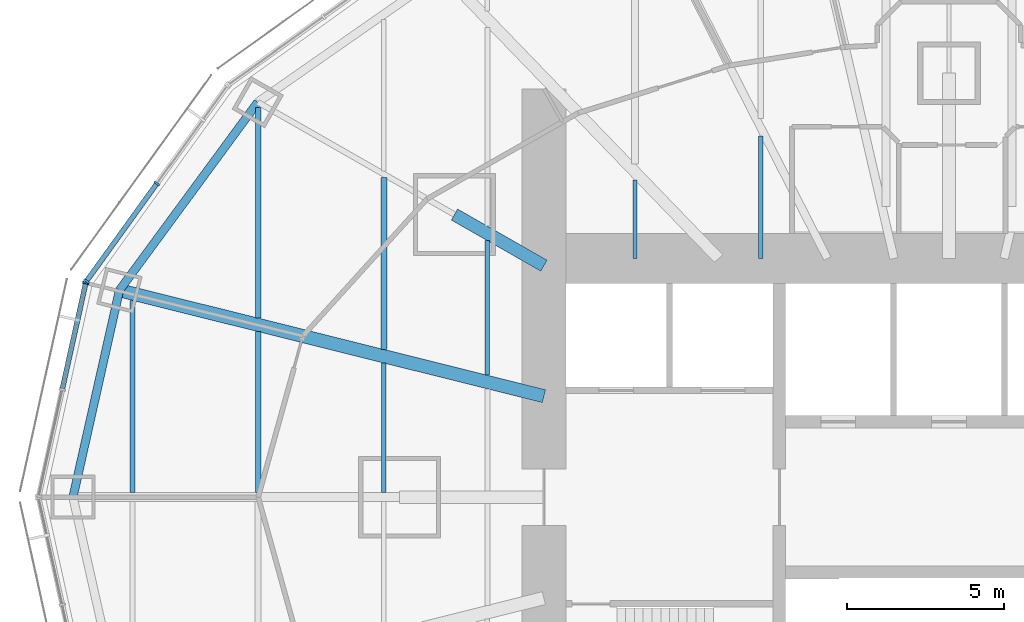
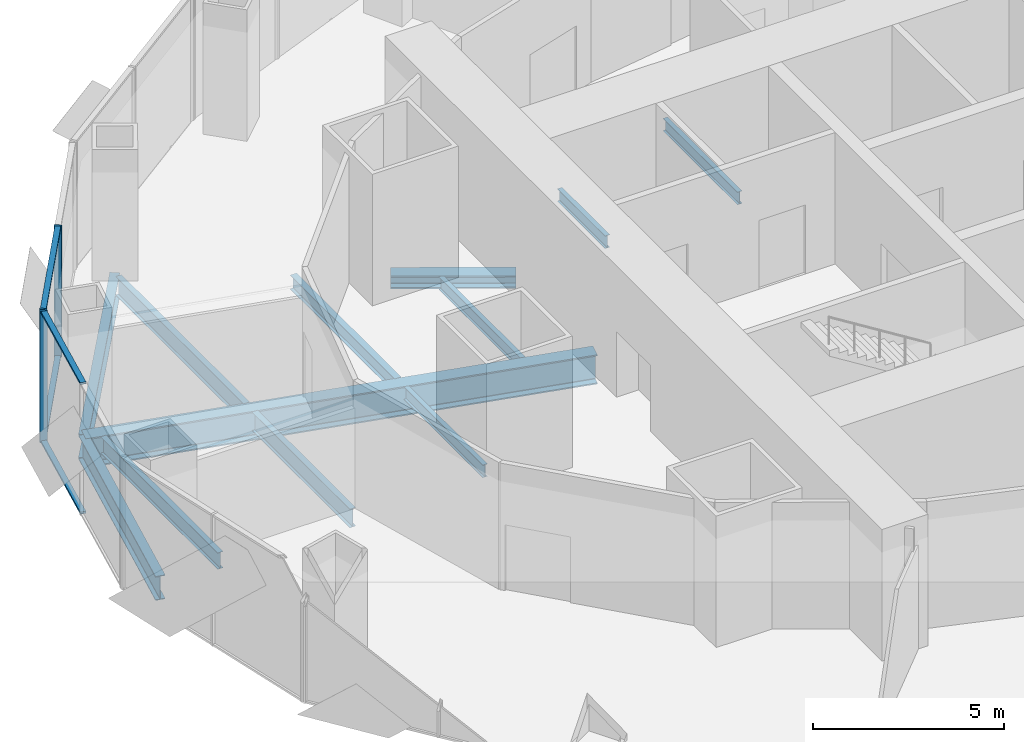
# One storey, part 4 of 18: 12 beams, 7 members, 2 elements without a shape of their own.
"""IFC4 building model written with IfcOpenShell, lengths in metres."""

from ifc_helpers import new_model, si_unit, direction, frame, origin, origin_2d, place, context, subcontext, project, spatial, rectangle, i_section, extrude, material, material_profile, profile_set, type_object, element, aggregate, save


model = new_model("IFC4")

# Units and contexts
model_context = context("Model", 3, precision=1e-05, world=origin(), true_north=direction((0.0, 1.0)))
body_context = subcontext(model_context, "Body", "Model", "MODEL_VIEW")
ifc_project = project(units=[si_unit("LENGTHUNIT", "METRE"), si_unit("AREAUNIT", "SQUARE_METRE"), si_unit("VOLUMEUNIT", "CUBIC_METRE"), si_unit("PLANEANGLEUNIT", "RADIAN"), si_unit("MASSUNIT", "GRAM", prefix="KILO")], contexts=[model_context])

# Site, building, storey
site_placement = place(None, origin())
site = spatial("IfcSite", under=ifc_project, at=site_placement, CompositionType="ELEMENT")
building_placement = place(site_placement, origin())
building = spatial("IfcBuilding", under=site, at=building_placement, Name="Lantaw Convention Tower", CompositionType="ELEMENT")
storey_placement = place(building_placement, frame((0.0, 0.0, 172.0)))
storey = spatial("IfcBuildingStorey", under=building, at=storey_placement, Name="L40", CompositionType="ELEMENT", Elevation=172.0)

# Beams
ifc_material_1 = material(Name="Steel ASTM A992", Category="steel")
ifc_material_profile_1 = material_profile(ifc_material_1, i_section(OverallWidth=0.2666015625, OverallDepth=0.76953125, WebThickness=0.015625, FlangeThickness=0.025390625, FilletRadius=0.0126953125, at=origin_2d()), Name="W30X132")
ifc_profile_set_1 = profile_set([ifc_material_profile_1], Name="Steel ASTM A992")
beam_type_1 = type_object("IfcBeamType", Name="Beam E W30X132", PredefinedType="SPANDREL", material=ifc_profile_set_1)
beam_1_placement = place(storey_placement, frame((-22.013916015625, 12.579345703125, -0.534912109375), z_axis=(-0.5923891972, -0.805651934176, 0.0), x_axis=(0.805651934176, -0.5923891972, 0.0)))
element("IfcBeam", 1, at=beam_1_placement, inside=storey, type_object=beam_type_1, Name="Edge beam 11", PredefinedType="SPANDREL", context=body_context, shape_type="SweptSolid", body=[
    extrude(i_section(OverallWidth=0.2666015625, OverallDepth=0.76953125, WebThickness=0.015625, FlangeThickness=0.025390625, FilletRadius=0.0126953125, at=origin_2d()), origin(), (0.0, 0.0, 1.0), 7.437744140625),
])
beam_2_placement = place(storey_placement, frame((-26.419921875, 6.587158203125, -0.534912109375), z_axis=(-0.219211877447, -0.975677279015, 0.0), x_axis=(0.975677279015, -0.219211877447, 0.0)))
element("IfcBeam", 2, at=beam_2_placement, inside=storey, type_object=beam_type_1, Name="Edge beam 12", PredefinedType="SPANDREL", context=body_context, shape_type="SweptSolid", body=[
    extrude(i_section(OverallWidth=0.2666015625, OverallDepth=0.76953125, WebThickness=0.015625, FlangeThickness=0.025390625, FilletRadius=0.0126953125, at=origin_2d()), origin(), (0.0, 0.0, 1.0), 6.75146484375),
])
ifc_material_profile_2 = material_profile(ifc_material_1, i_section(OverallWidth=0.421630859375, OverallDepth=0.937255859375, WebThickness=0.0224609375, FlangeThickness=0.039794921875, FilletRadius=0.02001953125, at=origin_2d()), Name="W36X282")
ifc_profile_set_2 = profile_set([ifc_material_profile_2], Name="Steel ASTM A992")
beam_type_2 = type_object("IfcBeamType", Name="Beam G W36X282", PredefinedType="BEAM", material=ifc_profile_set_2)
beam_3_placement = place(storey_placement, frame((-12.89990234375, 3.21630859375, -0.61865234375), z_axis=(-0.970296903132, 0.24191717544, 0.0), x_axis=(-0.24191717544, -0.970296903132, 0.0)))
element("IfcBeam", 3, at=beam_3_placement, inside=storey, type_object=beam_type_2, Name="Floor girder on ray 12", PredefinedType="BEAM", context=body_context, shape_type="SweptSolid", body=[
    extrude(i_section(OverallWidth=0.421630859375, OverallDepth=0.937255859375, WebThickness=0.0224609375, FlangeThickness=0.039794921875, FilletRadius=0.02001953125, at=origin_2d()), origin(), (0.0, 0.0, 1.0), 13.933837890625),
])
ifc_material_profile_3 = material_profile(ifc_material_1, i_section(OverallWidth=0.40380859375, OverallDepth=0.406494140625, WebThickness=0.027099609375, FlangeThickness=0.043701171875, FilletRadius=0.01513671875, at=origin_2d()), Name="W14X233")
ifc_profile_set_3 = profile_set([ifc_material_profile_3], Name="Steel ASTM A992")
beam_type_3 = type_object("IfcBeamType", Name="Beam GM W14X233", PredefinedType="BEAM", material=ifc_profile_set_3)
beam_4_placement = place(storey_placement, frame((-12.89990234375, 7.371337890625, -0.353271484375), z_axis=(-0.868238565244, 0.496146947811, 0.0), x_axis=(-0.496146947811, -0.868238565244, 0.0)))
element("IfcBeam", 4, at=beam_4_placement, inside=storey, type_object=beam_type_3, Name="Core link beam on ray 11", PredefinedType="BEAM", context=body_context, shape_type="SweptSolid", body=[
    extrude(i_section(OverallWidth=0.40380859375, OverallDepth=0.406494140625, WebThickness=0.027099609375, FlangeThickness=0.043701171875, FilletRadius=0.01513671875, at=origin_2d()), origin(), (0.0, 0.0, 1.0), 3.28271484375),
])
ifc_material_profile_4 = material_profile(ifc_material_1, i_section(OverallWidth=0.140380859375, OverallDepth=0.40380859375, WebThickness=0.007080078125, FlangeThickness=0.01123046875, FilletRadius=0.01025390625, at=origin_2d()), Name="W16X31")
ifc_profile_set_4 = profile_set([ifc_material_profile_4], Name="Steel ASTM A992")
beam_type_4 = type_object("IfcBeamType", Name="Beam J W16X31", PredefinedType="JOIST", material=ifc_profile_set_4)
beam_5_placement = place(storey_placement, frame((-18.0, 0.14599609375, -0.35205078125), z_axis=(0.0, 1.0, 0.0), x_axis=(-1.0, 0.0, 0.0)))
element("IfcBeam", 5, at=beam_5_placement, inside=storey, type_object=beam_type_4, Name="Floor joist", PredefinedType="JOIST", context=body_context, shape_type="SweptSolid", body=[
    extrude(i_section(OverallWidth=0.140380859375, OverallDepth=0.40380859375, WebThickness=0.007080078125, FlangeThickness=0.01123046875, FilletRadius=0.01025390625, at=origin_2d()), origin(), (0.0, 0.0, 1.0), 4.124755859375),
])
beam_6_placement = place(storey_placement, frame((-14.699951171875, 3.88232421875, -0.35205078125), z_axis=(0.0, 1.0, 0.0), x_axis=(-1.0, 0.0, 0.0)))
element("IfcBeam", 6, at=beam_6_placement, inside=storey, type_object=beam_type_4, Name="Floor joist", PredefinedType="JOIST", context=body_context, shape_type="SweptSolid", body=[
    extrude(i_section(OverallWidth=0.140380859375, OverallDepth=0.40380859375, WebThickness=0.007080078125, FlangeThickness=0.01123046875, FilletRadius=0.01025390625, at=origin_2d()), origin(), (0.0, 0.0, 1.0), 4.28515625),
])
beam_7_placement = place(storey_placement, frame((-10.0, 7.60009765625, -0.35205078125), z_axis=(0.0, 1.0, 0.0), x_axis=(-1.0, 0.0, 0.0)))
element("IfcBeam", 7, at=beam_7_placement, inside=storey, type_object=beam_type_4, Name="Floor joist", PredefinedType="JOIST", context=body_context, shape_type="SweptSolid", body=[
    extrude(i_section(OverallWidth=0.140380859375, OverallDepth=0.40380859375, WebThickness=0.007080078125, FlangeThickness=0.01123046875, FilletRadius=0.01025390625, at=origin_2d()), origin(), (0.0, 0.0, 1.0), 2.49560546875),
])
beam_8_placement = place(storey_placement, frame((-6.0, 7.60009765625, -0.35205078125), z_axis=(0.0, 1.0, 0.0), x_axis=(-1.0, 0.0, 0.0)))
element("IfcBeam", 8, at=beam_8_placement, inside=storey, type_object=beam_type_4, Name="Floor joist", PredefinedType="JOIST", context=body_context, shape_type="SweptSolid", body=[
    extrude(i_section(OverallWidth=0.140380859375, OverallDepth=0.40380859375, WebThickness=0.007080078125, FlangeThickness=0.01123046875, FilletRadius=0.01025390625, at=origin_2d()), origin(), (0.0, 0.0, 1.0), 3.895751953125),
])
ifc_material_profile_5 = material_profile(ifc_material_1, i_section(OverallWidth=0.1904296875, OverallDepth=0.457275390625, WebThickness=0.009033203125, FlangeThickness=0.014404296875, FilletRadius=0.01025390625, at=origin_2d()), Name="W18X50")
ifc_profile_set_5 = profile_set([ifc_material_profile_5], Name="Steel ASTM A992")
beam_type_5 = type_object("IfcBeamType", Name="Beam J W18X50", PredefinedType="JOIST", material=ifc_profile_set_5)
beam_9_placement = place(storey_placement, frame((-18.0, 4.705078125, -0.378662109375), z_axis=(0.0, 1.0, 0.0), x_axis=(-1.0, 0.0, 0.0)))
element("IfcBeam", 9, at=beam_9_placement, inside=storey, type_object=beam_type_5, Name="Floor joist", PredefinedType="JOIST", context=body_context, shape_type="SweptSolid", body=[
    extrude(i_section(OverallWidth=0.1904296875, OverallDepth=0.457275390625, WebThickness=0.009033203125, FlangeThickness=0.014404296875, FilletRadius=0.01025390625, at=origin_2d()), origin(), (0.0, 0.0, 1.0), 5.47802734375),
])
ifc_material_profile_6 = material_profile(ifc_material_1, i_section(OverallWidth=0.1650390625, OverallDepth=0.52587890625, WebThickness=0.0087890625, FlangeThickness=0.011474609375, FilletRadius=0.0126953125, at=origin_2d()), Name="W21X44")
ifc_profile_set_6 = profile_set([ifc_material_profile_6], Name="Steel ASTM A992")
beam_type_6 = type_object("IfcBeamType", Name="Beam J W21X44", PredefinedType="JOIST", material=ifc_profile_set_6)
beam_10_placement = place(storey_placement, frame((-26.0, 0.14599609375, -0.412841796875), z_axis=(0.0, 1.0, 0.0), x_axis=(-1.0, 0.0, 0.0)))
element("IfcBeam", 10, at=beam_10_placement, inside=storey, type_object=beam_type_6, Name="Floor joist", PredefinedType="JOIST", context=body_context, shape_type="SweptSolid", body=[
    extrude(i_section(OverallWidth=0.1650390625, OverallDepth=0.52587890625, WebThickness=0.0087890625, FlangeThickness=0.011474609375, FilletRadius=0.0126953125, at=origin_2d()), origin(), (0.0, 0.0, 1.0), 6.119140625),
])
ifc_material_profile_7 = material_profile(ifc_material_1, i_section(OverallWidth=0.177978515625, OverallDepth=0.599365234375, WebThickness=0.010009765625, FlangeThickness=0.012939453125, FilletRadius=0.012939453125, at=origin_2d()), Name="W24X55")
ifc_profile_set_7 = profile_set([ifc_material_profile_7], Name="Steel ASTM A992")
beam_type_7 = type_object("IfcBeamType", Name="Beam J W24X55", PredefinedType="JOIST", material=ifc_profile_set_7)
beam_11_placement = place(storey_placement, frame((-22.0, 0.14599609375, -0.44970703125), z_axis=(0.0, 1.0, 0.0), x_axis=(-1.0, 0.0, 0.0)))
element("IfcBeam", 11, at=beam_11_placement, inside=storey, type_object=beam_type_7, Name="Floor joist", PredefinedType="JOIST", context=body_context, shape_type="SweptSolid", body=[
    extrude(i_section(OverallWidth=0.177978515625, OverallDepth=0.599365234375, WebThickness=0.010009765625, FlangeThickness=0.012939453125, FilletRadius=0.012939453125, at=origin_2d()), origin(), (0.0, 0.0, 1.0), 5.121826171875),
])
beam_12_placement = place(storey_placement, frame((-22.0, 5.702392578125, -0.44970703125), z_axis=(0.0, 1.0, 0.0), x_axis=(-1.0, 0.0, 0.0)))
element("IfcBeam", 12, at=beam_12_placement, inside=storey, type_object=beam_type_7, Name="Floor joist", PredefinedType="JOIST", context=body_context, shape_type="SweptSolid", body=[
    extrude(i_section(OverallWidth=0.177978515625, OverallDepth=0.599365234375, WebThickness=0.010009765625, FlangeThickness=0.012939453125, FilletRadius=0.012939453125, at=origin_2d()), origin(), (0.0, 0.0, 1.0), 6.70654296875),
])

# Curtain wall, members
ifc_material_2 = material(Name="Aluminium framed curtain wall", Category="aluminium")
curtain_wall_type = type_object("IfcCurtainWallType", Name="Office curtain wall low rise, pale aluminium", PredefinedType="USERDEFINED", material=ifc_material_2)
curtain_wall_1_placement = place(storey_placement, origin())
curtain_wall_1 = element("IfcCurtainWall", 13, at=curtain_wall_1_placement, inside=storey, type_object=curtain_wall_type, Name="Office curtain wall low rise, pale aluminium L40", ObjectType="UNITISED CURTAIN WALL", PredefinedType="USERDEFINED")
ifc_material_3 = material(Name="Aluminium 6063-T6", Category="aluminium")
ifc_material_profile_8 = material_profile(ifc_material_3, rectangle(XDim=0.199951171875, YDim=0.06494140625, at=origin_2d()), Name="CW-O1 mullion 65x200")
ifc_profile_set_8 = profile_set([ifc_material_profile_8], Name="Aluminium 6063-T6")
member_type_1 = type_object("IfcMemberType", Name="CW-O1 mullion 65x200", PredefinedType="MULLION", material=ifc_profile_set_8)
member_1_placement = place(storey_placement, frame((-25.22802734375, 9.9892578125, -0.14990234375), z_axis=(0.0, 0.0, 1.0), x_axis=(0.811384633629, -0.584512597221, 0.0)))
member_1 = element("IfcMember", 14, at=member_1_placement, type_object=member_type_1, Name="CW-O1 mullion 2", PredefinedType="MULLION", context=body_context, shape_type="SweptSolid", body=[
    extrude(rectangle(XDim=0.199951171875, YDim=0.06494140625, at=origin_2d()), origin(), (0.0, 0.0, 1.0), 4.199951171875),
])
member_2_placement = place(storey_placement, frame((-27.46826171875, 6.879638671875, -0.14990234375), z_axis=(0.0, 0.0, 1.0), x_axis=(0.811384633629, -0.584512597221, 0.0)))
member_2 = element("IfcMember", 15, at=member_2_placement, type_object=member_type_1, Name="CW-O1 mullion 3", PredefinedType="MULLION", context=body_context, shape_type="SweptSolid", body=[
    extrude(rectangle(XDim=0.199951171875, YDim=0.06494140625, at=origin_2d()), origin(), (0.0, 0.0, 1.0), 4.199951171875),
])

# Curtain wall, member
curtain_wall_2_placement = place(storey_placement, origin())
curtain_wall_2 = element("IfcCurtainWall", 16, at=curtain_wall_2_placement, inside=storey, type_object=curtain_wall_type, Name="Office curtain wall low rise, pale aluminium L40", ObjectType="UNITISED CURTAIN WALL", PredefinedType="USERDEFINED")
member_3_placement = place(storey_placement, frame((-27.494140625, 6.821533203125, -0.14990234375), z_axis=(0.0, 0.0, 1.0), x_axis=(0.9764936509, -0.215546166174, 0.0)))
member_3 = element("IfcMember", 17, at=member_3_placement, type_object=member_type_1, Name="CW-O1 mullion 1", PredefinedType="MULLION", context=body_context, shape_type="SweptSolid", body=[
    extrude(rectangle(XDim=0.199951171875, YDim=0.06494140625, at=origin_2d()), origin(), (0.0, 0.0, 1.0), 4.199951171875),
])

# Member
ifc_material_profile_9 = material_profile(ifc_material_3, rectangle(XDim=0.159912109375, YDim=0.06494140625, at=origin_2d()), Name="CW-O1 transom 65x160")
ifc_profile_set_9 = profile_set([ifc_material_profile_9], Name="Aluminium 6063-T6")
member_type_2 = type_object("IfcMemberType", Name="CW-O1 transom 65x160", PredefinedType="USERDEFINED", material=ifc_profile_set_9)
member_4_placement = place(storey_placement, frame((-25.2470703125, 9.962890625, -0.117431640625), z_axis=(-0.584512973979, -0.811384362217, 0.0), x_axis=(0.811384362217, -0.584512973979, 0.0)))
member_4 = element("IfcMember", 18, at=member_4_placement, type_object=member_type_2, Name="CW-O1 transom 2.1", ObjectType="TRANSOM", PredefinedType="USERDEFINED", context=body_context, shape_type="SweptSolid", body=[
    extrude(rectangle(XDim=0.159912109375, YDim=0.06494140625, at=origin_2d()), origin(), (0.0, 0.0, 1.0), 3.767578125),
])

member_5_placement = place(storey_placement, frame((-25.2470703125, 9.962890625, 4.017578125), z_axis=(-0.584512973979, -0.811384362217, 0.0), x_axis=(0.811384362217, -0.584512973979, 0.0)))
member_5 = element("IfcMember", 19, at=member_5_placement, type_object=member_type_2, Name="CW-O1 transom 2.2", ObjectType="TRANSOM", PredefinedType="USERDEFINED", context=body_context, shape_type="SweptSolid", body=[
    extrude(rectangle(XDim=0.159912109375, YDim=0.06494140625, at=origin_2d()), origin(), (0.0, 0.0, 1.0), 3.767578125),
])

aggregate(curtain_wall_1, [member_1, member_2, member_4, member_5])

member_6_placement = place(storey_placement, frame((-27.501220703125, 6.789794921875, -0.117431640625), z_axis=(-0.21555115847, -0.976492548913, 0.0), x_axis=(0.976492548913, -0.21555115847, 0.0)))
member_6 = element("IfcMember", 20, at=member_6_placement, type_object=member_type_2, Name="CW-O1 transom 1.1", ObjectType="TRANSOM", PredefinedType="USERDEFINED", context=body_context, shape_type="SweptSolid", body=[
    extrude(rectangle(XDim=0.159912109375, YDim=0.06494140625, at=origin_2d()), origin(), (0.0, 0.0, 1.0), 3.411376953125),
])

member_7_placement = place(storey_placement, frame((-27.501220703125, 6.789794921875, 4.017578125), z_axis=(-0.21555115847, -0.976492548913, 0.0), x_axis=(0.976492548913, -0.21555115847, 0.0)))
member_7 = element("IfcMember", 21, at=member_7_placement, type_object=member_type_2, Name="CW-O1 transom 1.2", ObjectType="TRANSOM", PredefinedType="USERDEFINED", context=body_context, shape_type="SweptSolid", body=[
    extrude(rectangle(XDim=0.159912109375, YDim=0.06494140625, at=origin_2d()), origin(), (0.0, 0.0, 1.0), 3.411376953125),
])

aggregate(curtain_wall_2, [member_3, member_6, member_7])

save(model, "model.ifc")
